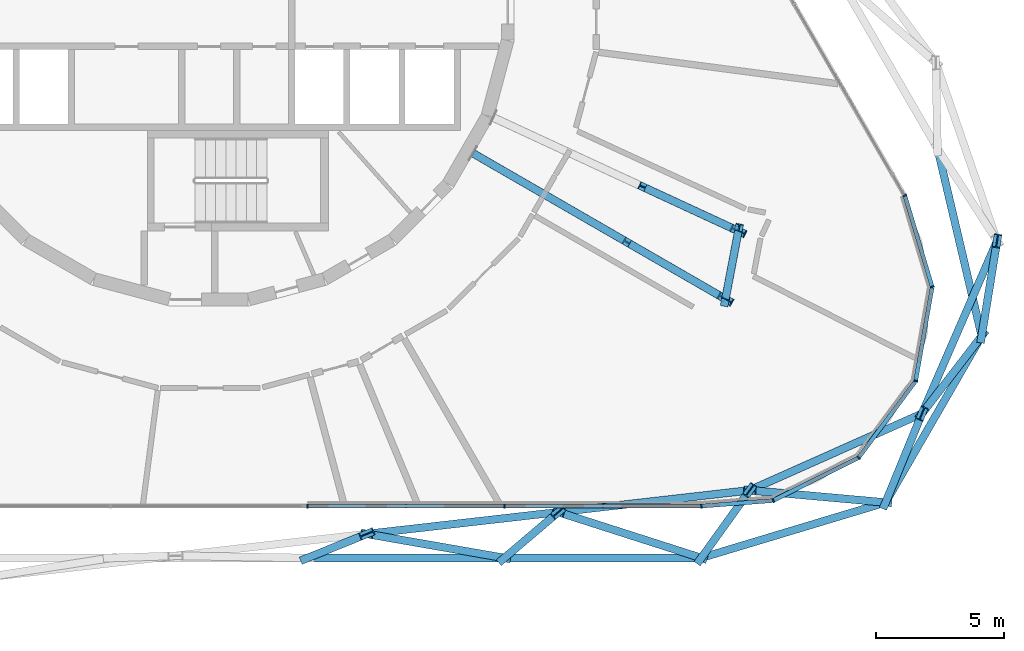
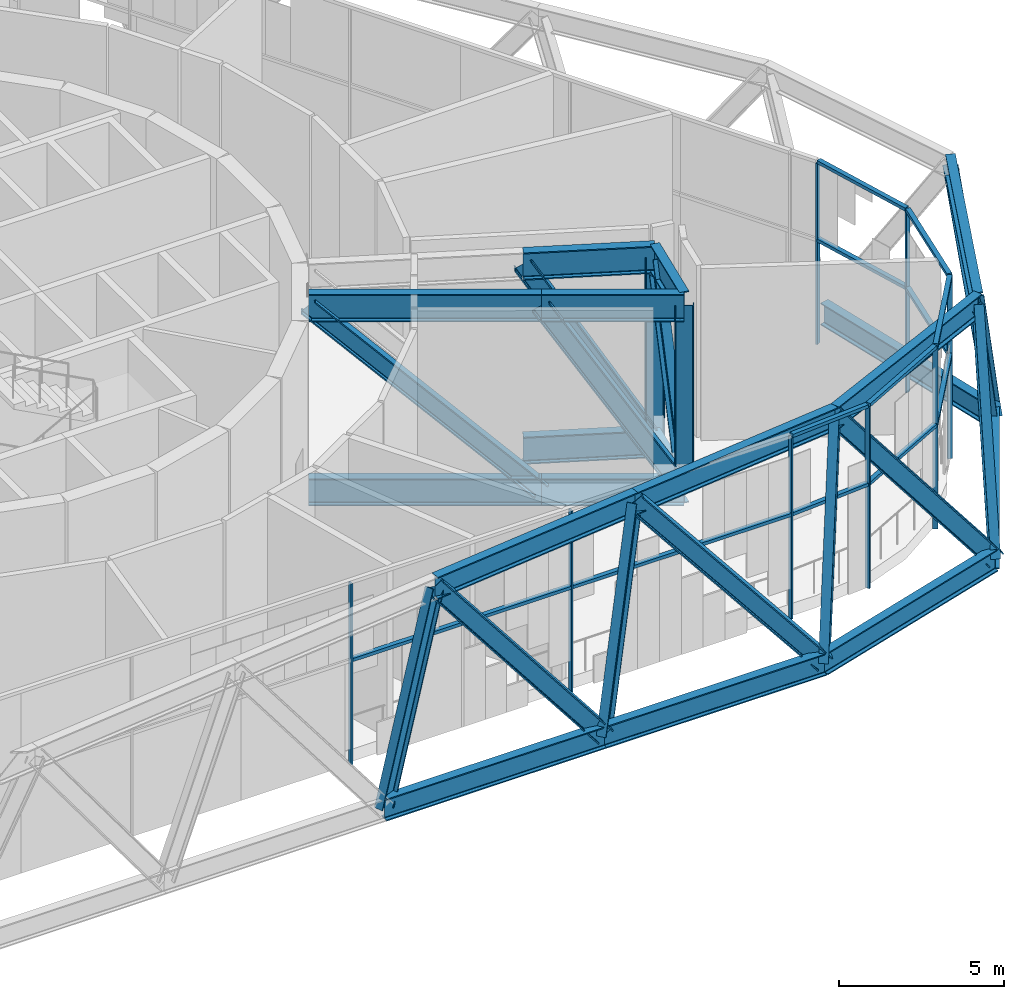
# One storey, part 5 of 29: 54 members, 2 elements without a shape of their own.
"""IFC4 building model written with IfcOpenShell, lengths in metres."""

from ifc_helpers import new_model, si_unit, direction, frame, origin, origin_2d, place, context, subcontext, project, spatial, rectangle, i_section, extrude, material, layer, layer_set, material_profile, profile_set, type_object, element, aggregate, save


model = new_model("IFC4")

# Units and contexts
model_context = context("Model", 3, precision=1e-05, world=origin(), true_north=direction((0.0, 1.0)))
body_context = subcontext(model_context, "Body", "Model", "MODEL_VIEW")
ifc_project = project(units=[si_unit("LENGTHUNIT", "METRE"), si_unit("AREAUNIT", "SQUARE_METRE"), si_unit("VOLUMEUNIT", "CUBIC_METRE"), si_unit("PLANEANGLEUNIT", "RADIAN"), si_unit("MASSUNIT", "GRAM", prefix="KILO")], contexts=[model_context])

# Site, building, storey
site_placement = place(None, origin())
site = spatial("IfcSite", under=ifc_project, at=site_placement, CompositionType="ELEMENT")
building_placement = place(site_placement, origin())
building = spatial("IfcBuilding", under=site, at=building_placement, Name="Spindle Arch Residences", CompositionType="ELEMENT")
storey_placement = place(building_placement, frame((0.0, 0.0, 69.89990234375)))
storey = spatial("IfcBuildingStorey", under=building, at=storey_placement, Name="L16", CompositionType="ELEMENT", Elevation=69.89990234375)

# Members
ifc_material_1 = material(Name="Steel S460ML, intumescent coating R 240", Category="steel")
ifc_material_profile_1 = material_profile(ifc_material_1, i_section(OverallWidth=0.302978515625, OverallDepth=0.81396484375, WebThickness=0.02099609375, FlangeThickness=0.0400390625, FilletRadius=0.030029296875, at=origin_2d()), Name="HEM 800")
ifc_profile_set_1 = profile_set([ifc_material_profile_1], Name="Steel S460ML, intumescent coating R 240")
member_type_1 = type_object("IfcMemberType", Name="Belt truss chord HEM 800", PredefinedType="CHORD", material=ifc_profile_set_1)
member_1_placement = place(storey_placement, frame((3.840087890625, -21.72998046875, -0.85693359375), z_axis=(1.0, 0.0, 0.0), x_axis=(0.0, 1.0, 0.0)))
element("IfcMember", 1, at=member_1_placement, inside=storey, type_object=member_type_1, Name="Belt truss bottom chord L16.1", PredefinedType="CHORD", context=body_context, shape_type="SweptSolid", body=[
    extrude(i_section(OverallWidth=0.302978515625, OverallDepth=0.81396484375, WebThickness=0.02099609375, FlangeThickness=0.0400390625, FilletRadius=0.030029296875, at=origin_2d()), origin(), (0.0, 0.0, 1.0), 7.679931640625),
])
member_2_placement = place(storey_placement, frame((11.52001953125, -21.72998046875, -0.85693359375), z_axis=(1.0, 0.0, 0.0), x_axis=(0.0, 1.0, 0.0)))
element("IfcMember", 2, at=member_2_placement, inside=storey, type_object=member_type_1, Name="Belt truss bottom chord L16.2", PredefinedType="CHORD", context=body_context, shape_type="SweptSolid", body=[
    extrude(i_section(OverallWidth=0.302978515625, OverallDepth=0.81396484375, WebThickness=0.02099609375, FlangeThickness=0.0400390625, FilletRadius=0.030029296875, at=origin_2d()), origin(), (0.0, 0.0, 1.0), 7.68017578125),
])
member_3_placement = place(storey_placement, frame((19.2001953125, -21.72998046875, -0.85693359375), z_axis=(0.957555657636, 0.288248438901, 0.0), x_axis=(-0.288248438901, 0.957555657636, 0.0)))
element("IfcMember", 3, at=member_3_placement, inside=storey, type_object=member_type_1, Name="Belt truss bottom chord L16.3", PredefinedType="CHORD", context=body_context, shape_type="SweptSolid", body=[
    extrude(i_section(OverallWidth=0.302978515625, OverallDepth=0.81396484375, WebThickness=0.02099609375, FlangeThickness=0.0400390625, FilletRadius=0.030029296875, at=origin_2d()), origin(), (0.0, 0.0, 1.0), 7.51025390625),
])
member_4_placement = place(storey_placement, frame((26.3916015625, -19.565185546875, -0.85693359375), z_axis=(0.500016584969, 0.866015828236, 0.0), x_axis=(-0.866015828236, 0.500016584969, 0.0)))
element("IfcMember", 4, at=member_4_placement, inside=storey, type_object=member_type_1, Name="Belt truss bottom chord L16.4", PredefinedType="CHORD", context=body_context, shape_type="SweptSolid", body=[
    extrude(i_section(OverallWidth=0.302978515625, OverallDepth=0.81396484375, WebThickness=0.02099609375, FlangeThickness=0.0400390625, FilletRadius=0.030029296875, at=origin_2d()), origin(), (0.0, 0.0, 1.0), 7.496337890625),
])
member_5_placement = place(storey_placement, frame((30.139892578125, -13.0732421875, -0.85693359375), z_axis=(-0.229180660718, 0.973383904096, 0.0), x_axis=(-0.973383904096, -0.229180660718, 0.0)))
element("IfcMember", 5, at=member_5_placement, inside=storey, type_object=member_type_1, Name="Belt truss bottom chord L16.5", PredefinedType="CHORD", context=body_context, shape_type="SweptSolid", body=[
    extrude(i_section(OverallWidth=0.302978515625, OverallDepth=0.81396484375, WebThickness=0.02099609375, FlangeThickness=0.0400390625, FilletRadius=0.030029296875, at=origin_2d()), origin(), (0.0, 0.0, 1.0), 7.51025390625),
])
for number, where, z_axis, x_axis, name in (
    (6, (6.153076171875, -20.794677734375, 5.943115234375), (0.993573008535, 0.113193094799, 0.0), (-0.113193094799, 0.993573008535, 0.0), "Belt truss top chord L16.1"),
    (7, (13.62353515625, -19.943603515625, 5.943115234375), (0.993569356187, 0.113225149352, 0.0), (-0.113225149352, 0.993569356187, 0.0), "Belt truss top chord L16.2"),
):
    element("IfcMember", number, at=place(storey_placement, frame(where, z_axis=z_axis, x_axis=x_axis)), inside=storey, type_object=member_type_1, Name=name, PredefinedType="CHORD", context=body_context, shape_type="SweptSolid", body=[
        extrude(i_section(OverallWidth=0.302978515625, OverallDepth=0.81396484375, WebThickness=0.02099609375, FlangeThickness=0.0400390625, FilletRadius=0.030029296875, at=origin_2d()), origin(), (0.0, 0.0, 1.0), 7.518798828125),
    ])
member_6_placement = place(storey_placement, frame((21.093994140625, -19.09228515625, 5.943115234375), z_axis=(0.913355110131, 0.407163901638, 0.0), x_axis=(-0.407163901638, 0.913355110131, 0.0)))
element("IfcMember", 8, at=member_6_placement, inside=storey, type_object=member_type_1, Name="Belt truss top chord L16.3", PredefinedType="CHORD", context=body_context, shape_type="SweptSolid", body=[
    extrude(i_section(OverallWidth=0.302978515625, OverallDepth=0.81396484375, WebThickness=0.02099609375, FlangeThickness=0.0400390625, FilletRadius=0.030029296875, at=origin_2d()), origin(), (0.0, 0.0, 1.0), 7.354248046875),
])
member_7_placement = place(storey_placement, frame((27.81103515625, -16.097900390625, 5.943115234375), z_axis=(0.398758921166, 0.917055790446, 0.0), x_axis=(-0.917055790446, 0.398758921166, 0.0)))
element("IfcMember", 9, at=member_7_placement, inside=storey, type_object=member_type_1, Name="Belt truss top chord L16.4", PredefinedType="CHORD", context=body_context, shape_type="SweptSolid", body=[
    extrude(i_section(OverallWidth=0.302978515625, OverallDepth=0.81396484375, WebThickness=0.02099609375, FlangeThickness=0.0400390625, FilletRadius=0.030029296875, at=origin_2d()), origin(), (0.0, 0.0, 1.0), 7.346435546875),
])
ifc_material_2 = material(Name="Steel S460ML, intumescent coating R 240", Category="steel")
ifc_material_profile_2 = material_profile(ifc_material_2, i_section(OverallWidth=0.304931640625, OverallDepth=0.6201171875, WebThickness=0.02099609375, FlangeThickness=0.0400390625, FilletRadius=0.027099609375, at=origin_2d()), Name="HEM 600")
ifc_profile_set_2 = profile_set([ifc_material_profile_2], Name="Steel S460ML, intumescent coating R 240")
member_type_2 = type_object("IfcMemberType", Name="Belt truss diagonal HEM 600", PredefinedType="BRACE", material=ifc_profile_set_2)
member_8_placement = place(storey_placement, frame((3.840087890625, -21.72998046875, -0.85693359375), z_axis=(0.319328045035, 0.129126635057, 0.938805577195), x_axis=(-0.374880441052, 0.927073165892, 0.0)))
element("IfcMember", 10, at=member_8_placement, inside=storey, type_object=member_type_2, Name="Belt truss diagonal L16.1.1", PredefinedType="BRACE", context=body_context, shape_type="SweptSolid", body=[
    extrude(i_section(OverallWidth=0.304931640625, OverallDepth=0.6201171875, WebThickness=0.02099609375, FlangeThickness=0.0400390625, FilletRadius=0.027099609375, at=origin_2d()), origin(), (0.0, 0.0, 1.0), 7.243408203125),
])
member_9_placement = place(storey_placement, frame((11.52001953125, -21.72998046875, -0.85693359375), z_axis=(-0.615956777948, 0.107343420658, 0.780432340271), x_axis=(-0.171683479672, -0.985152162261, 0.0)))
element("IfcMember", 11, at=member_9_placement, inside=storey, type_object=member_type_2, Name="Belt truss diagonal L16.1.2", PredefinedType="BRACE", context=body_context, shape_type="SweptSolid", body=[
    extrude(i_section(OverallWidth=0.304931640625, OverallDepth=0.6201171875, WebThickness=0.02099609375, FlangeThickness=0.0400390625, FilletRadius=0.027099609375, at=origin_2d()), origin(), (0.0, 0.0, 1.0), 8.713134765625),
])
member_10_placement = place(storey_placement, frame((11.52001953125, -21.72998046875, -0.85693359375), z_axis=(0.286633098095, 0.243418567637, 0.926600705809), x_axis=(-0.647309384218, 0.762227368378, 0.0)))
element("IfcMember", 12, at=member_10_placement, inside=storey, type_object=member_type_2, Name="Belt truss diagonal L16.2.2", PredefinedType="BRACE", context=body_context, shape_type="SweptSolid", body=[
    extrude(i_section(OverallWidth=0.304931640625, OverallDepth=0.6201171875, WebThickness=0.02099609375, FlangeThickness=0.0400390625, FilletRadius=0.027099609375, at=origin_2d()), origin(), (0.0, 0.0, 1.0), 7.338623046875),
])
member_11_placement = place(storey_placement, frame((19.2001953125, -21.72998046875, -0.85693359375), z_axis=(-0.621430809488, 0.199063533536, 0.757758179524), x_axis=(-0.305061628489, -0.952332611446, 0.0)))
element("IfcMember", 13, at=member_11_placement, inside=storey, type_object=member_type_2, Name="Belt truss diagonal L16.2.3", PredefinedType="BRACE", context=body_context, shape_type="SweptSolid", body=[
    extrude(i_section(OverallWidth=0.304931640625, OverallDepth=0.6201171875, WebThickness=0.02099609375, FlangeThickness=0.0400390625, FilletRadius=0.027099609375, at=origin_2d()), origin(), (0.0, 0.0, 1.0), 8.973876953125),
])
member_12_placement = place(storey_placement, frame((19.2001953125, -21.72998046875, -0.85693359375), z_axis=(0.251315141409, 0.350033361839, 0.902395337587), x_axis=(-0.812313686874, 0.583220776479, 0.0)))
element("IfcMember", 14, at=member_12_placement, inside=storey, type_object=member_type_2, Name="Belt truss diagonal L16.3.3", PredefinedType="BRACE", context=body_context, shape_type="SweptSolid", body=[
    extrude(i_section(OverallWidth=0.304931640625, OverallDepth=0.6201171875, WebThickness=0.02099609375, FlangeThickness=0.0400390625, FilletRadius=0.027099609375, at=origin_2d()), origin(), (0.0, 0.0, 1.0), 7.53564453125),
])
member_13_placement = place(storey_placement, frame((26.3916015625, -19.565185546875, -0.85693359375), z_axis=(-0.613645127534, 0.054778128579, 0.787679512291), x_axis=(-0.088913234232, -0.996039375114, 0.0)))
element("IfcMember", 15, at=member_13_placement, inside=storey, type_object=member_type_2, Name="Belt truss diagonal L16.3.4", PredefinedType="BRACE", context=body_context, shape_type="SweptSolid", body=[
    extrude(i_section(OverallWidth=0.304931640625, OverallDepth=0.6201171875, WebThickness=0.02099609375, FlangeThickness=0.0400390625, FilletRadius=0.027099609375, at=origin_2d()), origin(), (0.0, 0.0, 1.0), 8.633056640625),
])
member_14_placement = place(storey_placement, frame((26.3916015625, -19.565185546875, -0.85693359375), z_axis=(0.182825758475, 0.446592951817, 0.875859279465), x_axis=(-0.925453507645, 0.378861195145, 0.0)))
element("IfcMember", 16, at=member_14_placement, inside=storey, type_object=member_type_2, Name="Belt truss diagonal L16.4.4", PredefinedType="BRACE", context=body_context, shape_type="SweptSolid", body=[
    extrude(i_section(OverallWidth=0.304931640625, OverallDepth=0.6201171875, WebThickness=0.02099609375, FlangeThickness=0.0400390625, FilletRadius=0.027099609375, at=origin_2d()), origin(), (0.0, 0.0, 1.0), 7.763916015625),
])
member_15_placement = place(storey_placement, frame((30.139892578125, -13.0732421875, -0.85693359375), z_axis=(-0.298638232958, -0.387863410013, 0.871996090008), x_axis=(0.792345735483, -0.610072319862, 0.0)))
element("IfcMember", 17, at=member_15_placement, inside=storey, type_object=member_type_2, Name="Belt truss diagonal L16.4.5", PredefinedType="BRACE", context=body_context, shape_type="SweptSolid", body=[
    extrude(i_section(OverallWidth=0.304931640625, OverallDepth=0.6201171875, WebThickness=0.02099609375, FlangeThickness=0.0400390625, FilletRadius=0.027099609375, at=origin_2d()), origin(), (0.0, 0.0, 1.0), 7.79833984375),
])
member_16_placement = place(storey_placement, frame((30.139892578125, -13.0732421875, -0.85693359375), z_axis=(0.077288831581, 0.477745517491, 0.875091799202), x_axis=(-0.987165291676, 0.159701868836, 0.0)))
element("IfcMember", 18, at=member_16_placement, inside=storey, type_object=member_type_2, Name="Belt truss diagonal L16.5.5", PredefinedType="BRACE", context=body_context, shape_type="SweptSolid", body=[
    extrude(i_section(OverallWidth=0.304931640625, OverallDepth=0.6201171875, WebThickness=0.02099609375, FlangeThickness=0.0400390625, FilletRadius=0.027099609375, at=origin_2d()), origin(), (0.0, 0.0, 1.0), 7.770751953125),
])

# Curtain wall, members
ifc_material_3 = material(Name="Aluminium bronze unitised frame with tinted glass", Category="aluminium")
ifc_layer = layer(ifc_material_3, 0.159912109375)
ifc_layer_set = layer_set([ifc_layer], Name="CW-E double-height winter garden wall")
curtain_wall_type = type_object("IfcCurtainWallType", Name="CW-E double-height winter garden wall", PredefinedType="NOTDEFINED", material=ifc_layer_set)
curtain_wall_1_placement = place(storey_placement, origin())
curtain_wall_1 = element("IfcCurtainWall", 19, at=curtain_wall_1_placement, inside=storey, type_object=curtain_wall_type, Name="CW-E L16 run 1", PredefinedType="NOTDEFINED")
ifc_material_4 = material(Name="Aluminium bronze anodised mullion", Category="aluminium")
ifc_material_profile_3 = material_profile(ifc_material_4, rectangle(XDim=0.159912109375, YDim=0.06005859375, at=origin_2d()), Name="MU 60x160")
ifc_profile_set_3 = profile_set([ifc_material_profile_3], Name="Aluminium bronze anodised mullion")
member_type_3 = type_object("IfcMemberType", Name="Bronze mullion 60x160", PredefinedType="MULLION", material=ifc_profile_set_3)
member_17_placement = place(storey_placement, frame((19.2001953125, -19.7099609375, -0.449951171875), z_axis=(0.0, 0.0, 1.0), x_axis=(-0.077364085451, 0.997002907861, 0.0)))
member_17 = element("IfcMember", 20, at=member_17_placement, type_object=member_type_3, Name="CW-E mullion 00", PredefinedType="MULLION", context=body_context, shape_type="SweptSolid", body=[
    extrude(rectangle(XDim=0.159912109375, YDim=0.06005859375, at=origin_2d()), origin(), (0.0, 0.0, 1.0), 6.679931640625),
])
member_18_placement = place(storey_placement, frame((22.007080078125, -19.4921875, -0.449951171875), z_axis=(0.0, 0.0, 1.0), x_axis=(-0.448799176213, 0.893632642326, 0.0)))
member_18 = element("IfcMember", 21, at=member_18_placement, type_object=member_type_3, Name="CW-E mullion 01", PredefinedType="MULLION", context=body_context, shape_type="SweptSolid", body=[
    extrude(rectangle(XDim=0.159912109375, YDim=0.06005859375, at=origin_2d()), origin(), (0.0, 0.0, 1.0), 6.679931640625),
])
member_19_placement = place(storey_placement, frame((25.33740234375, -17.819580078125, -0.449951171875), z_axis=(0.0, 0.0, 1.0), x_axis=(-0.802123189687, 0.597158595823, 0.0)))
member_19 = element("IfcMember", 22, at=member_19_placement, type_object=member_type_3, Name="CW-E mullion 02", PredefinedType="MULLION", context=body_context, shape_type="SweptSolid", body=[
    extrude(rectangle(XDim=0.159912109375, YDim=0.06005859375, at=origin_2d()), origin(), (0.0, 0.0, 1.0), 6.679931640625),
])
member_20_placement = place(storey_placement, frame((27.562744140625, -14.830322265625, -0.449951171875), z_axis=(0.0, 0.0, 1.0), x_axis=(-0.984807752421, 0.173648181019, 0.0)))
member_20 = element("IfcMember", 23, at=member_20_placement, type_object=member_type_3, Name="CW-E mullion 03", PredefinedType="MULLION", context=body_context, shape_type="SweptSolid", body=[
    extrude(rectangle(XDim=0.159912109375, YDim=0.06005859375, at=origin_2d()), origin(), (0.0, 0.0, 1.0), 6.679931640625),
])
member_21_placement = place(storey_placement, frame((28.2099609375, -11.16015625, -0.449951171875), z_axis=(0.0, 0.0, 1.0), x_axis=(-0.957989512975, -0.28680323051, 0.0)))
member_21 = element("IfcMember", 24, at=member_21_placement, type_object=member_type_3, Name="CW-E mullion 04", PredefinedType="MULLION", context=body_context, shape_type="SweptSolid", body=[
    extrude(rectangle(XDim=0.159912109375, YDim=0.06005859375, at=origin_2d()), origin(), (0.0, 0.0, 1.0), 6.679931640625),
])
member_22_placement = place(storey_placement, frame((27.14111328125, -7.58984375, -0.449951171875), z_axis=(0.0, 0.0, 1.0), x_axis=(-0.866025403784, -0.5, 0.0)))
member_22 = element("IfcMember", 25, at=member_22_placement, type_object=member_type_3, Name="CW-E mullion 05", PredefinedType="MULLION", context=body_context, shape_type="SweptSolid", body=[
    extrude(rectangle(XDim=0.159912109375, YDim=0.06005859375, at=origin_2d()), origin(), (0.0, 0.0, 1.0), 6.679931640625),
])

curtain_wall_2_placement = place(storey_placement, origin())
curtain_wall_2 = element("IfcCurtainWall", 26, at=curtain_wall_2_placement, inside=storey, type_object=curtain_wall_type, Name="CW-E L16 run 6", PredefinedType="NOTDEFINED")
member_23_placement = place(storey_placement, frame((3.840087890625, -19.7099609375, -0.449951171875), z_axis=(0.0, 0.0, 1.0), x_axis=(0.0, 1.0, 0.0)))
member_23 = element("IfcMember", 27, at=member_23_placement, type_object=member_type_3, Name="CW-E mullion 00", PredefinedType="MULLION", context=body_context, shape_type="SweptSolid", body=[
    extrude(rectangle(XDim=0.159912109375, YDim=0.06005859375, at=origin_2d()), origin(), (0.0, 0.0, 1.0), 6.679931640625),
])
member_24_placement = place(storey_placement, frame((11.52001953125, -19.7099609375, -0.449951171875), z_axis=(0.0, 0.0, 1.0), x_axis=(0.0, 1.0, 0.0)))
member_24 = element("IfcMember", 28, at=member_24_placement, type_object=member_type_3, Name="CW-E mullion 01", PredefinedType="MULLION", context=body_context, shape_type="SweptSolid", body=[
    extrude(rectangle(XDim=0.159912109375, YDim=0.06005859375, at=origin_2d()), origin(), (0.0, 0.0, 1.0), 6.679931640625),
])

# Member
ifc_material_5 = material(Name="Aluminium bronze anodised transom", Category="aluminium")
ifc_material_profile_4 = material_profile(ifc_material_5, rectangle(XDim=0.159912109375, YDim=0.1201171875, at=origin_2d()), Name="TR 120x160")
ifc_profile_set_4 = profile_set([ifc_material_profile_4], Name="Aluminium bronze anodised transom")
member_type_4 = type_object("IfcMemberType", Name="Bronze transom 120x160", PredefinedType="USERDEFINED", material=ifc_profile_set_4)
member_25_placement = place(storey_placement, frame((19.22998046875, -19.70751953125, 6.2900390625), z_axis=(0.997003710875, 0.077353736189, 0.0), x_axis=(-0.077353736189, 0.997003710875, 0.0)))
member_25 = element("IfcMember", 29, at=member_25_placement, type_object=member_type_4, Name="CW-E transom 00", ObjectType="TRANSOM", PredefinedType="USERDEFINED", context=body_context, shape_type="SweptSolid", body=[
    extrude(rectangle(XDim=0.159912109375, YDim=0.1201171875, at=origin_2d()), origin(), (0.0, 0.0, 1.0), 2.75537109375),
])

member_26_placement = place(storey_placement, frame((19.22998046875, -19.70751953125, 3.400146484375), z_axis=(0.997003710875, 0.077353736189, 0.0), x_axis=(-0.077353736189, 0.997003710875, 0.0)))
member_26 = element("IfcMember", 30, at=member_26_placement, type_object=member_type_4, Name="CW-E transom 00m", ObjectType="TRANSOM", PredefinedType="USERDEFINED", context=body_context, shape_type="SweptSolid", body=[
    extrude(rectangle(XDim=0.159912109375, YDim=0.1201171875, at=origin_2d()), origin(), (0.0, 0.0, 1.0), 2.75537109375),
])

member_27_placement = place(storey_placement, frame((22.03369140625, -19.478759765625, 6.2900390625), z_axis=(0.893626812559, 0.448810784046, 0.0), x_axis=(-0.448810784046, 0.893626812559, 0.0)))
member_27 = element("IfcMember", 31, at=member_27_placement, type_object=member_type_4, Name="CW-E transom 01", ObjectType="TRANSOM", PredefinedType="USERDEFINED", context=body_context, shape_type="SweptSolid", body=[
    extrude(rectangle(XDim=0.159912109375, YDim=0.1201171875, at=origin_2d()), origin(), (0.0, 0.0, 1.0), 3.6669921875),
])

member_28_placement = place(storey_placement, frame((22.03369140625, -19.478759765625, 3.400146484375), z_axis=(0.893626812559, 0.448810784046, 0.0), x_axis=(-0.448810784046, 0.893626812559, 0.0)))
member_28 = element("IfcMember", 32, at=member_28_placement, type_object=member_type_4, Name="CW-E transom 01m", ObjectType="TRANSOM", PredefinedType="USERDEFINED", context=body_context, shape_type="SweptSolid", body=[
    extrude(rectangle(XDim=0.159912109375, YDim=0.1201171875, at=origin_2d()), origin(), (0.0, 0.0, 1.0), 3.6669921875),
])

member_29_placement = place(storey_placement, frame((25.355224609375, -17.79541015625, 6.2900390625), z_axis=(0.597173190998, 0.802112323776, 0.0), x_axis=(-0.802112323776, 0.597173190998, 0.0)))
member_29 = element("IfcMember", 33, at=member_29_placement, type_object=member_type_4, Name="CW-E transom 02", ObjectType="TRANSOM", PredefinedType="USERDEFINED", context=body_context, shape_type="SweptSolid", body=[
    extrude(rectangle(XDim=0.159912109375, YDim=0.1201171875, at=origin_2d()), origin(), (0.0, 0.0, 1.0), 3.666748046875),
])

member_30_placement = place(storey_placement, frame((25.355224609375, -17.79541015625, 3.400146484375), z_axis=(0.597173190998, 0.802112323776, 0.0), x_axis=(-0.802112323776, 0.597173190998, 0.0)))
member_30 = element("IfcMember", 34, at=member_30_placement, type_object=member_type_4, Name="CW-E transom 02m", ObjectType="TRANSOM", PredefinedType="USERDEFINED", context=body_context, shape_type="SweptSolid", body=[
    extrude(rectangle(XDim=0.159912109375, YDim=0.1201171875, at=origin_2d()), origin(), (0.0, 0.0, 1.0), 3.666748046875),
])

member_31_placement = place(storey_placement, frame((27.56787109375, -14.80078125, 6.2900390625), z_axis=(0.173709368694, 0.984796961423, 0.0), x_axis=(-0.984796961423, 0.173709368694, 0.0)))
member_31 = element("IfcMember", 35, at=member_31_placement, type_object=member_type_4, Name="CW-E transom 03", ObjectType="TRANSOM", PredefinedType="USERDEFINED", context=body_context, shape_type="SweptSolid", body=[
    extrude(rectangle(XDim=0.159912109375, YDim=0.1201171875, at=origin_2d()), origin(), (0.0, 0.0, 1.0), 3.666748046875),
])

member_32_placement = place(storey_placement, frame((27.56787109375, -14.80078125, 3.400146484375), z_axis=(0.173709368694, 0.984796961423, 0.0), x_axis=(-0.984796961423, 0.173709368694, 0.0)))
member_32 = element("IfcMember", 36, at=member_32_placement, type_object=member_type_4, Name="CW-E transom 03m", ObjectType="TRANSOM", PredefinedType="USERDEFINED", context=body_context, shape_type="SweptSolid", body=[
    extrude(rectangle(XDim=0.159912109375, YDim=0.1201171875, at=origin_2d()), origin(), (0.0, 0.0, 1.0), 3.666748046875),
])

member_33_placement = place(storey_placement, frame((28.201416015625, -11.13134765625, 6.2900390625), z_axis=(-0.286834736274, 0.957980080203, 0.0), x_axis=(-0.957980080203, -0.286834736274, 0.0)))
member_33 = element("IfcMember", 37, at=member_33_placement, type_object=member_type_4, Name="CW-E transom 04", ObjectType="TRANSOM", PredefinedType="USERDEFINED", context=body_context, shape_type="SweptSolid", body=[
    extrude(rectangle(XDim=0.159912109375, YDim=0.1201171875, at=origin_2d()), origin(), (0.0, 0.0, 1.0), 3.666748046875),
])

member_34_placement = place(storey_placement, frame((28.201416015625, -11.13134765625, 3.400146484375), z_axis=(-0.286834736274, 0.957980080203, 0.0), x_axis=(-0.957980080203, -0.286834736274, 0.0)))
member_34 = element("IfcMember", 38, at=member_34_placement, type_object=member_type_4, Name="CW-E transom 04m", ObjectType="TRANSOM", PredefinedType="USERDEFINED", context=body_context, shape_type="SweptSolid", body=[
    extrude(rectangle(XDim=0.159912109375, YDim=0.1201171875, at=origin_2d()), origin(), (0.0, 0.0, 1.0), 3.666748046875),
])

aggregate(curtain_wall_1, [member_17, member_25, member_26, member_18, member_27, member_28, member_19, member_29, member_30, member_20, member_31, member_32, member_21, member_33, member_34, member_22])

member_35_placement = place(storey_placement, frame((3.8701171875, -19.7099609375, 3.400146484375), z_axis=(1.0, 0.0, 0.0), x_axis=(0.0, 1.0, 0.0)))
member_35 = element("IfcMember", 39, at=member_35_placement, type_object=member_type_4, Name="CW-E transom 00Am", ObjectType="TRANSOM", PredefinedType="USERDEFINED", context=body_context, shape_type="SweptSolid", body=[
    extrude(rectangle(XDim=0.159912109375, YDim=0.1201171875, at=origin_2d()), origin(), (0.0, 0.0, 1.0), 3.81005859375),
])

member_36_placement = place(storey_placement, frame((7.68017578125, -19.7099609375, 3.400146484375), z_axis=(1.0, 0.0, 0.0), x_axis=(0.0, 1.0, 0.0)))
member_36 = element("IfcMember", 40, at=member_36_placement, type_object=member_type_4, Name="CW-E transom 00Bm", ObjectType="TRANSOM", PredefinedType="USERDEFINED", context=body_context, shape_type="SweptSolid", body=[
    extrude(rectangle(XDim=0.159912109375, YDim=0.1201171875, at=origin_2d()), origin(), (0.0, 0.0, 1.0), 3.809814453125),
])

member_37_placement = place(storey_placement, frame((11.550048828125, -19.7099609375, 3.400146484375), z_axis=(1.0, 0.0, 0.0), x_axis=(0.0, 1.0, 0.0)))
member_37 = element("IfcMember", 41, at=member_37_placement, type_object=member_type_4, Name="CW-E transom 01Am", ObjectType="TRANSOM", PredefinedType="USERDEFINED", context=body_context, shape_type="SweptSolid", body=[
    extrude(rectangle(XDim=0.159912109375, YDim=0.1201171875, at=origin_2d()), origin(), (0.0, 0.0, 1.0), 3.81005859375),
])

member_38_placement = place(storey_placement, frame((15.360107421875, -19.7099609375, 3.400146484375), z_axis=(1.0, 0.0, 0.0), x_axis=(0.0, 1.0, 0.0)))
member_38 = element("IfcMember", 42, at=member_38_placement, type_object=member_type_4, Name="CW-E transom 01Bm", ObjectType="TRANSOM", PredefinedType="USERDEFINED", context=body_context, shape_type="SweptSolid", body=[
    extrude(rectangle(XDim=0.159912109375, YDim=0.1201171875, at=origin_2d()), origin(), (0.0, 0.0, 1.0), 3.81005859375),
])

aggregate(curtain_wall_2, [member_23, member_35, member_36, member_24, member_37, member_38])

# Members
ifc_material_6 = material(Name="Steel S460ML, intumescent coating R 240", Category="steel")
ifc_material_profile_5 = material_profile(ifc_material_6, i_section(OverallWidth=0.302001953125, OverallDepth=1.008056640625, WebThickness=0.02099609375, FlangeThickness=0.0400390625, FilletRadius=0.030029296875, at=origin_2d()), Name="HEM 1000")
ifc_profile_set_5 = profile_set([ifc_material_profile_5], Name="Steel S460ML, intumescent coating R 240")
member_type_5 = type_object("IfcMemberType", Name="Transfer truss chord HEM 1000", PredefinedType="CHORD", material=ifc_profile_set_5)
for number, where, z_axis, x_axis, name in (
    (43, (10.303466796875, -5.94873046875, -0.953857421875), (0.866031494595, -0.499989450259, 0.0), (0.499989450259, 0.866031494595, 0.0), "Transfer truss chord L16"),
    (44, (10.303466796875, -5.94873046875, 5.84619140625), (0.866031494595, -0.499989450259, 0.0), (0.499989450259, 0.866031494595, 0.0), "Transfer truss chord L16"),
):
    element("IfcMember", number, at=place(storey_placement, frame(where, z_axis=z_axis, x_axis=x_axis)), inside=storey, type_object=member_type_5, Name=name, PredefinedType="CHORD", context=body_context, shape_type="SweptSolid", body=[
        extrude(i_section(OverallWidth=0.302001953125, OverallDepth=1.008056640625, WebThickness=0.02099609375, FlangeThickness=0.0400390625, FilletRadius=0.030029296875, at=origin_2d()), origin(), (0.0, 0.0, 1.0), 7.044677734375),
    ])
for number, where, z_axis, x_axis, name in (
    (45, (16.404296875, -9.470947265625, -0.953857421875), (0.866017978256, -0.500012861172, 0.0), (0.500012861172, 0.866017978256, 0.0), "Transfer truss chord L16"),
    (46, (16.404296875, -9.470947265625, 5.84619140625), (0.866017978256, -0.500012861172, 0.0), (0.500012861172, 0.866017978256, 0.0), "Transfer truss chord L16"),
):
    element("IfcMember", number, at=place(storey_placement, frame(where, z_axis=z_axis, x_axis=x_axis)), inside=storey, type_object=member_type_5, Name=name, PredefinedType="CHORD", context=body_context, shape_type="SweptSolid", body=[
        extrude(i_section(OverallWidth=0.302001953125, OverallDepth=1.008056640625, WebThickness=0.02099609375, FlangeThickness=0.0400390625, FilletRadius=0.030029296875, at=origin_2d()), origin(), (0.0, 0.0, 1.0), 4.31787109375),
    ])
for number, where, z_axis, x_axis, name in (
    (47, (20.1435546875, -11.6298828125, -0.953857421875), (0.186750548704, 0.982407365892, 0.0), (-0.982407365892, 0.186750548704, 0.0), "Transfer truss chord L16"),
    (48, (20.1435546875, -11.6298828125, 5.84619140625), (0.186750548704, 0.982407365892, 0.0), (-0.982407365892, 0.186750548704, 0.0), "Transfer truss chord L16"),
):
    element("IfcMember", number, at=place(storey_placement, frame(where, z_axis=z_axis, x_axis=x_axis)), inside=storey, type_object=member_type_5, Name=name, PredefinedType="CHORD", context=body_context, shape_type="SweptSolid", body=[
        extrude(i_section(OverallWidth=0.302001953125, OverallDepth=1.008056640625, WebThickness=0.02099609375, FlangeThickness=0.0400390625, FilletRadius=0.030029296875, at=origin_2d()), origin(), (0.0, 0.0, 1.0), 2.69970703125),
    ])
for number, where, z_axis, x_axis, name in (
    (49, (17.018310546875, -7.296875, -0.953857421875), (0.907406565459, -0.420253881554, 0.0), (0.420253881554, 0.907406565459, 0.0), "Transfer truss chord L16"),
    (50, (17.018310546875, -7.296875, 5.84619140625), (0.907406565459, -0.420253881554, 0.0), (0.420253881554, 0.907406565459, 0.0), "Transfer truss chord L16"),
):
    element("IfcMember", number, at=place(storey_placement, frame(where, z_axis=z_axis, x_axis=x_axis)), inside=storey, type_object=member_type_5, Name=name, PredefinedType="CHORD", context=body_context, shape_type="SweptSolid", body=[
        extrude(i_section(OverallWidth=0.302001953125, OverallDepth=1.008056640625, WebThickness=0.02099609375, FlangeThickness=0.0400390625, FilletRadius=0.030029296875, at=origin_2d()), origin(), (0.0, 0.0, 1.0), 3.999755859375),
    ])
ifc_material_7 = material(Name="Steel S460ML, intumescent coating R 240", Category="steel")
ifc_material_profile_6 = material_profile(ifc_material_7, i_section(OverallWidth=0.304931640625, OverallDepth=0.6201171875, WebThickness=0.02099609375, FlangeThickness=0.0400390625, FilletRadius=0.027099609375, at=origin_2d()), Name="HEM 600")
ifc_profile_set_6 = profile_set([ifc_material_profile_6], Name="Steel S460ML, intumescent coating R 240")
member_type_6 = type_object("IfcMemberType", Name="Transfer truss diagonal HEM 600", PredefinedType="BRACE", material=ifc_profile_set_6)
member_39_placement = place(storey_placement, frame((16.404296875, -9.470947265625, -0.953857421875), z_axis=(-0.62309577587, 0.359734393472, 0.694509049794), x_axis=(-0.499989450259, -0.866031494595, 0.0)))
element("IfcMember", 51, at=member_39_placement, inside=storey, type_object=member_type_6, Name="Transfer truss diagonal L16", PredefinedType="BRACE", context=body_context, shape_type="SweptSolid", body=[
    extrude(i_section(OverallWidth=0.304931640625, OverallDepth=0.6201171875, WebThickness=0.02099609375, FlangeThickness=0.0400390625, FilletRadius=0.027099609375, at=origin_2d()), origin(), (0.0, 0.0, 1.0), 9.791259765625),
])
member_40_placement = place(storey_placement, frame((20.1435546875, -11.6298828125, -0.953857421875), z_axis=(-0.464213272312, 0.268022849768, 0.84419771962), x_axis=(-0.500012861172, -0.866017978256, 0.0)))
element("IfcMember", 52, at=member_40_placement, inside=storey, type_object=member_type_6, Name="Transfer truss diagonal L16", PredefinedType="BRACE", context=body_context, shape_type="SweptSolid", body=[
    extrude(i_section(OverallWidth=0.304931640625, OverallDepth=0.6201171875, WebThickness=0.02099609375, FlangeThickness=0.0400390625, FilletRadius=0.027099609375, at=origin_2d()), origin(), (0.0, 0.0, 1.0), 8.054931640625),
])
member_41_placement = place(storey_placement, frame((20.1435546875, -11.6298828125, -0.953857421875), z_axis=(0.068907694118, 0.362491177336, 0.929436321673), x_axis=(-0.982407365892, 0.186750548704, 0.0)))
element("IfcMember", 53, at=member_41_placement, inside=storey, type_object=member_type_6, Name="Transfer truss diagonal L16", PredefinedType="BRACE", context=body_context, shape_type="SweptSolid", body=[
    extrude(i_section(OverallWidth=0.304931640625, OverallDepth=0.6201171875, WebThickness=0.02099609375, FlangeThickness=0.0400390625, FilletRadius=0.027099609375, at=origin_2d()), origin(), (0.0, 0.0, 1.0), 7.31640625),
])
member_42_placement = place(storey_placement, frame((20.647705078125, -8.977783203125, -0.953857421875), z_axis=(-0.46004911471, 0.21306593265, 0.861949952375), x_axis=(-0.420253881554, -0.907406565459, 0.0)))
element("IfcMember", 54, at=member_42_placement, inside=storey, type_object=member_type_6, Name="Transfer truss diagonal L16", PredefinedType="BRACE", context=body_context, shape_type="SweptSolid", body=[
    extrude(i_section(OverallWidth=0.304931640625, OverallDepth=0.6201171875, WebThickness=0.02099609375, FlangeThickness=0.0400390625, FilletRadius=0.027099609375, at=origin_2d()), origin(), (0.0, 0.0, 1.0), 7.88916015625),
])
ifc_material_8 = material(Name="Steel S460ML, intumescent coating R 240", Category="steel")
ifc_material_profile_7 = material_profile(ifc_material_8, i_section(OverallWidth=0.300048828125, OverallDepth=0.60009765625, WebThickness=0.015380859375, FlangeThickness=0.030029296875, FilletRadius=0.027099609375, at=origin_2d()), Name="HEB 600")
ifc_profile_set_7 = profile_set([ifc_material_profile_7], Name="Steel S460ML, intumescent coating R 240")
member_type_7 = type_object("IfcMemberType", Name="Transfer truss post HEB 600", PredefinedType="POST", material=ifc_profile_set_7)
member_43_placement = place(storey_placement, frame((20.1435546875, -11.6298828125, -0.449951171875), z_axis=(0.0, 0.0, 1.0), x_axis=(-0.49999958461, -0.86602564361, 0.0)))
element("IfcMember", 55, at=member_43_placement, inside=storey, type_object=member_type_7, Name="Transfer truss post L16", PredefinedType="POST", context=body_context, shape_type="SweptSolid", body=[
    extrude(i_section(OverallWidth=0.300048828125, OverallDepth=0.60009765625, WebThickness=0.015380859375, FlangeThickness=0.030029296875, FilletRadius=0.027099609375, at=origin_2d()), origin(), (0.0, 0.0, 1.0), 6.296142578125),
])
member_44_placement = place(storey_placement, frame((20.647705078125, -8.977783203125, -0.953857421875), z_axis=(0.0, 0.0, 1.0), x_axis=(-0.420263223988, -0.907402238571, 0.0)))
element("IfcMember", 56, at=member_44_placement, inside=storey, type_object=member_type_7, Name="Transfer truss post L16", PredefinedType="POST", context=body_context, shape_type="SweptSolid", body=[
    extrude(i_section(OverallWidth=0.300048828125, OverallDepth=0.60009765625, WebThickness=0.015380859375, FlangeThickness=0.030029296875, FilletRadius=0.027099609375, at=origin_2d()), origin(), (0.0, 0.0, 1.0), 6.800048828125),
])

save(model, "model.ifc")
